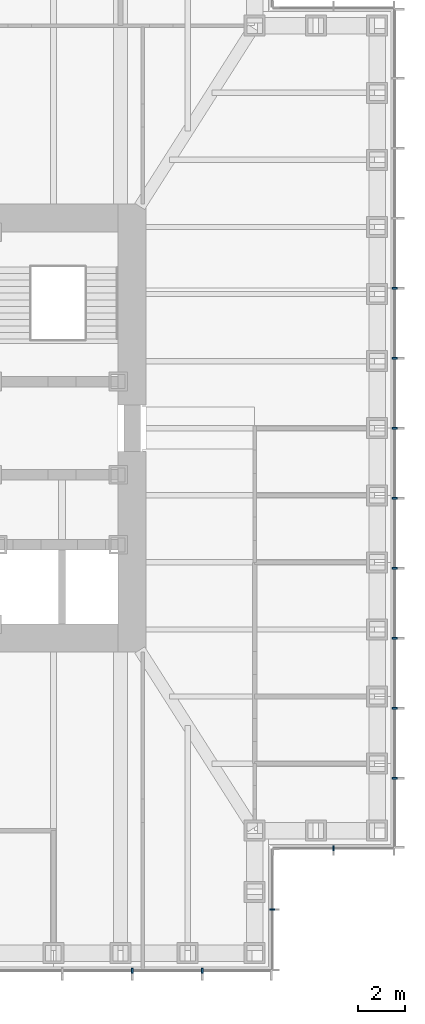
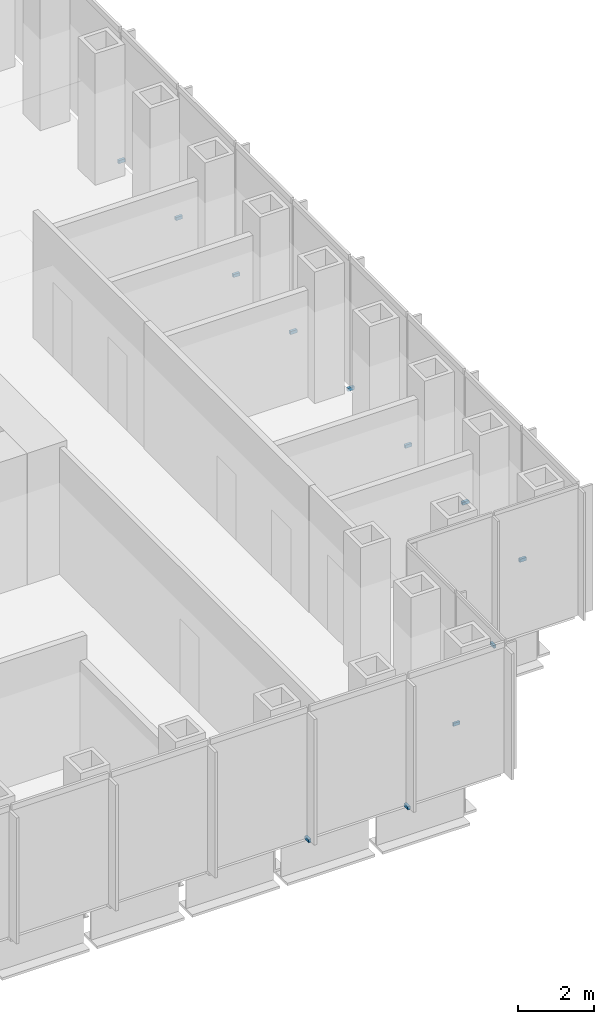
# One storey, part 14 of 17: 12 discrete accessories.
"""IFC4 building model written with IfcOpenShell, lengths in metres."""

from ifc_helpers import new_model, si_unit, direction, frame, origin, origin_2d, place, context, subcontext, project, spatial, rectangle, extrude, element, save


model = new_model("IFC4")

# Units and contexts
model_context = context("Model", 3, precision=1e-05, world=origin(), true_north=direction((0.0, 1.0)))
body_context = subcontext(model_context, "Body", "Model", "MODEL_VIEW")
ifc_project = project(units=[si_unit("LENGTHUNIT", "METRE"), si_unit("AREAUNIT", "SQUARE_METRE"), si_unit("VOLUMEUNIT", "CUBIC_METRE"), si_unit("PLANEANGLEUNIT", "RADIAN"), si_unit("MASSUNIT", "GRAM", prefix="KILO")], contexts=[model_context])

# Site, building, storey
site_placement = place(None, origin())
site = spatial("IfcSite", under=ifc_project, at=site_placement, CompositionType="ELEMENT")
building_placement = place(site_placement, origin())
building = spatial("IfcBuilding", under=site, at=building_placement, Name="Daluyong Arena Tower", CompositionType="ELEMENT")
storey_placement = place(building_placement, frame((0.0, 0.0, 166.89990234375)))
storey = spatial("IfcBuildingStorey", under=building, at=storey_placement, Name="L37", CompositionType="ELEMENT", Elevation=166.89990234375)

# Discrete accessories
for number, where, z_axis, x_axis, name in (
    (1, (68.0, 56.75, -0.099853515625), (0.0, 0.0, 1.0), (1.0, 0.0, 0.0), "curtain wall L37 S anchor bracket 11"),
    (2, (71.0, 56.75, -0.099853515625), (0.0, 0.0, 1.0), (1.0, 0.0, 0.0), "curtain wall L37 S anchor bracket 12"),
):
    element("IfcDiscreteAccessory", number, at=place(storey_placement, frame(where, z_axis=z_axis, x_axis=x_axis)), inside=storey, Name=name, PredefinedType="BRACKET", context=body_context, shape_type="SweptSolid", body=[
        extrude(rectangle(XDim=0.080078125, YDim=0.199951171875, at=origin_2d()), origin(), (0.0, 0.0, 1.0), 0.10009765625),
    ])
for number, where, z_axis, x_axis, name in (
    (3, (74.0, 59.375, -0.099853515625), (0.0, 0.0, 1.0), (0.0, 1.0, 0.0), "curtain wall L37 SE-E anchor bracket 2"),
    (4, (76.625, 62.0, -0.099853515625), (0.0, 0.0, 1.0), (1.0, 0.0, 0.0), "curtain wall L37 SE-S anchor bracket 2"),
):
    element("IfcDiscreteAccessory", number, at=place(storey_placement, frame(where, z_axis=z_axis, x_axis=x_axis)), inside=storey, Name=name, PredefinedType="BRACKET", context=body_context, shape_type="SweptSolid", body=[
        extrude(rectangle(XDim=0.06005859375, YDim=0.199951171875, at=origin_2d()), origin(), (0.0, 0.0, 1.0), 0.10009765625),
    ])
for number, where, z_axis, x_axis, name in (
    (5, (79.25, 65.0, -0.099853515625), (0.0, 0.0, 1.0), (0.0, 1.0, 0.0), "curtain wall L37 E anchor bracket 2"),
    (6, (79.25, 68.0, -0.099853515625), (0.0, 0.0, 1.0), (0.0, 1.0, 0.0), "curtain wall L37 E anchor bracket 3"),
    (7, (79.25, 71.0, -0.099853515625), (0.0, 0.0, 1.0), (0.0, 1.0, 0.0), "curtain wall L37 E anchor bracket 4"),
    (8, (79.25, 74.0, -0.099853515625), (0.0, 0.0, 1.0), (0.0, 1.0, 0.0), "curtain wall L37 E anchor bracket 5"),
    (9, (79.25, 77.0, -0.099853515625), (0.0, 0.0, 1.0), (0.0, 1.0, 0.0), "curtain wall L37 E anchor bracket 6"),
    (10, (79.25, 80.0, -0.099853515625), (0.0, 0.0, 1.0), (0.0, 1.0, 0.0), "curtain wall L37 E anchor bracket 7"),
    (11, (79.25, 83.0, -0.099853515625), (0.0, 0.0, 1.0), (0.0, 1.0, 0.0), "curtain wall L37 E anchor bracket 8"),
    (12, (79.25, 86.0, -0.099853515625), (0.0, 0.0, 1.0), (0.0, 1.0, 0.0), "curtain wall L37 E anchor bracket 9"),
):
    element("IfcDiscreteAccessory", number, at=place(storey_placement, frame(where, z_axis=z_axis, x_axis=x_axis)), inside=storey, Name=name, PredefinedType="BRACKET", context=body_context, shape_type="SweptSolid", body=[
        extrude(rectangle(XDim=0.080078125, YDim=0.199951171875, at=origin_2d()), origin(), (0.0, 0.0, 1.0), 0.10009765625),
    ])

save(model, "model.ifc")
